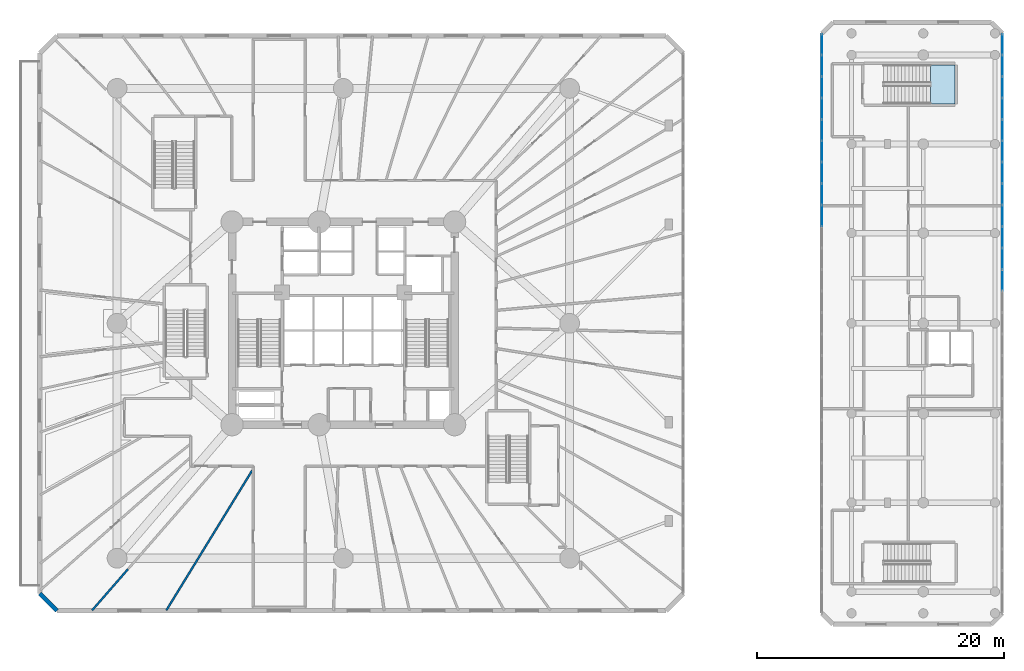
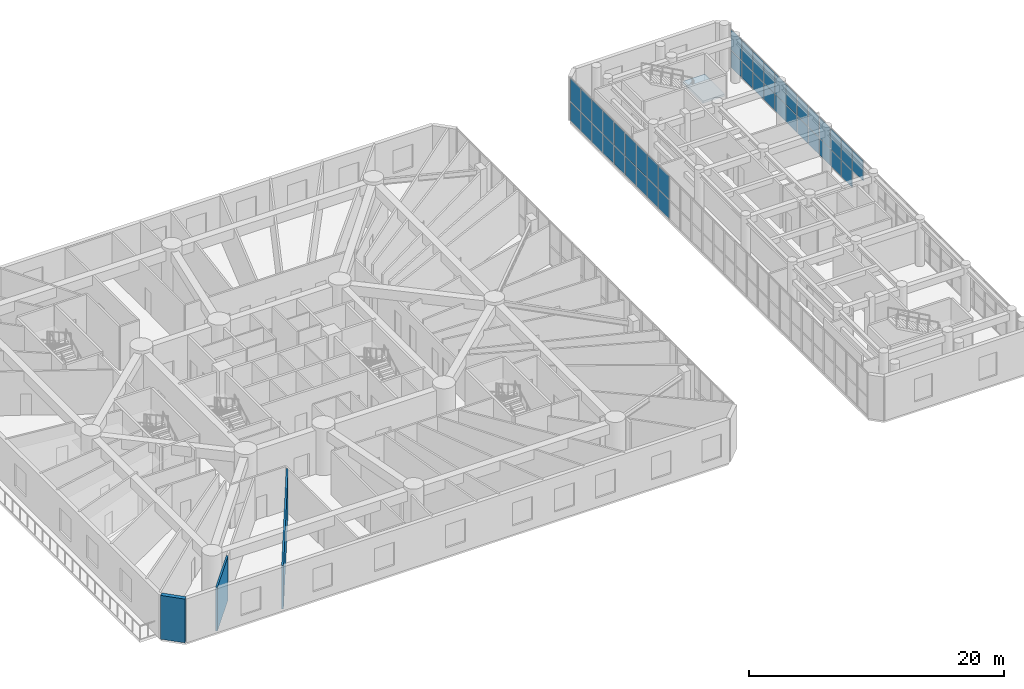
# One storey, part 12 of 26: 41 plates, 3 walls, 1 slab, 3 elements without a shape of their own.
"""IFC4 building model written with IfcOpenShell, lengths in metres."""

from ifc_helpers import new_model, si_unit, direction, frame, frame_2d, origin, origin_with_axes, origin_2d, place, context, subcontext, project, spatial, polyline, rectangle, outline, extrude, source, transform, mapped, material, layer, layer_set, type_object, element, aggregate, save


model = new_model("IFC4")

# Units and contexts
model_context = context("Model", 3, precision=1e-05, world=origin(), true_north=direction((0.0, 1.0)))
body_context = subcontext(model_context, "Body", "Model", "MODEL_VIEW")
ifc_project = project(units=[si_unit("LENGTHUNIT", "METRE"), si_unit("AREAUNIT", "SQUARE_METRE"), si_unit("VOLUMEUNIT", "CUBIC_METRE"), si_unit("PLANEANGLEUNIT", "RADIAN"), si_unit("MASSUNIT", "GRAM", prefix="KILO")], contexts=[model_context])

# Site, building, storey
site_placement = place(None, origin())
site = spatial("IfcSite", under=ifc_project, at=site_placement, CompositionType="ELEMENT")
building_placement = place(site_placement, origin())
building = spatial("IfcBuilding", under=site, at=building_placement, Name="Karkom Vertical University and Central Library", CompositionType="ELEMENT")
storey_placement = place(building_placement, frame((0.0, 0.0, 9.0)))
storey = spatial("IfcBuildingStorey", under=building, at=storey_placement, Name="L02", CompositionType="ELEMENT", Elevation=9.0)

# Stair, slab
ifc_material_1 = material(Name="Concrete C45/55", Category="concrete")
stair_type = type_object("IfcStairType", Name="INT-STR-ST-LIB", PredefinedType="HALF_TURN_STAIR", material=ifc_material_1)
stair_placement = place(storey_placement, origin())
stair = element("IfcStair", 1, at=stair_placement, inside=storey, type_object=stair_type, Name="Level 02 Central Library North Exit Stair LIB-ST2", PredefinedType="HALF_TURN_STAIR")
ifc_layer_1 = layer(ifc_material_1, 0.199951171875)
ifc_layer_set_1 = layer_set([ifc_layer_1], Name="Concrete C45/55")
slab_type = type_object("IfcSlabType", Name="INT-SLB-LANDING", PredefinedType="LANDING", material=ifc_layer_set_1)
slab_placement = place(storey_placement, frame((0.0, 0.0, 2.050048828125)))
slab = element("IfcSlab", 2, at=slab_placement, type_object=slab_type, Name="LIB-ST2 landing 1", PredefinedType="LANDING", context=body_context, shape_type="SweptSolid", body=[
    extrude(outline(polyline([(75.969970703125, 44.25), (77.949951171875, 44.25), (77.949951171875, 47.409912109375), (75.969970703125, 47.409912109375), (75.969970703125, 44.25)])), origin(), (0.0, 0.0, 1.0), 0.199951171875),
])
aggregate(stair, [slab])

# Curtain wall, plates
ifc_material_2 = material(Name="Aluminium curtain-wall framing and low-E IGU", Category="aluminium")
ifc_layer_2 = layer(ifc_material_2, 0.199951171875)
ifc_layer_set_2 = layer_set([ifc_layer_2], Name="Aluminium curtain-wall framing and low-E IGU")
curtain_wall_type = type_object("IfcCurtainWallType", Name="ENV-CW-1", PredefinedType="USERDEFINED", material=ifc_layer_set_2)
curtain_wall_1_placement = place(storey_placement, origin())
curtain_wall_1 = element("IfcCurtainWall", 3, at=curtain_wall_1_placement, inside=storey, type_object=curtain_wall_type, Name="Level 02 CW-1 Curtain Wall Level 02-CW-1-LIB-3", ObjectType="STICK MULLION GLAZING", PredefinedType="USERDEFINED")
ifc_material_3 = material(Name="Solar-control low-E double glazing 28mm", Category="glass")
ifc_layer_3 = layer(ifc_material_3, 0.028076171875)
ifc_layer_set_3 = layer_set([ifc_layer_3], Name="Solar-control low-E double glazing 28mm")
plate_type = type_object("IfcPlateType", Name="ENV-PLT-GLZ-28", PredefinedType="CURTAIN_PANEL", material=ifc_layer_set_3)
shared_shape_1 = source(origin_with_axes(), body_context, "Body", "SweptSolid", [
    extrude(rectangle(XDim=1.632080078125, YDim=0.028076171875, at=origin_2d()), origin(), (0.0, 0.0, 1.0), 1.58251953125),
])
plate_1_placement = place(storey_placement, frame((81.800048828125, 49.06396484375, 0.070068359375), z_axis=(0.0, 0.0, 1.0), x_axis=(0.0, 1.0, 0.0)))
plate_1 = element("IfcPlate", 4, at=plate_1_placement, type_object=plate_type, Name="CW-1 panel 27.1", PredefinedType="CURTAIN_PANEL", context=body_context, shape_type="MappedRepresentation", body=[
    mapped(shared_shape_1, transform((0.0, 0.0, 0.0), scale=1.0)),
])
shared_shape_2 = source(origin_with_axes(), body_context, "Body", "SweptSolid", [
    extrude(rectangle(XDim=1.632080078125, YDim=0.028076171875, at=origin_2d()), origin(), (0.0, 0.0, 1.0), 1.95751953125),
])
plate_2_placement = place(storey_placement, frame((81.800048828125, 49.06396484375, 1.722412109375), z_axis=(0.0, 0.0, 1.0), x_axis=(0.0, 1.0, 0.0)))
plate_2 = element("IfcPlate", 5, at=plate_2_placement, type_object=plate_type, Name="CW-1 panel 27.2", PredefinedType="CURTAIN_PANEL", context=body_context, shape_type="MappedRepresentation", body=[
    mapped(shared_shape_2, transform((0.0, 0.0, 0.0), scale=1.0)),
])
shared_shape_3 = source(origin_with_axes(), body_context, "Body", "SweptSolid", [
    extrude(rectangle(XDim=1.6669921875, YDim=0.028076171875, at=origin_2d()), origin(), (0.0, 0.0, 1.0), 1.58251953125),
])
plate_3_placement = place(storey_placement, frame((81.800048828125, 31.711181640625, 0.070068359375), z_axis=(0.0, 0.0, 1.0), x_axis=(0.0, 1.0, 0.0)))
plate_3 = element("IfcPlate", 6, at=plate_3_placement, type_object=plate_type, Name="CW-1 panel 17.1", PredefinedType="CURTAIN_PANEL", context=body_context, shape_type="MappedRepresentation", body=[
    mapped(shared_shape_3, transform((0.0, 0.0, 0.0), scale=1.0)),
])
plate_4_placement = place(storey_placement, frame((81.800048828125, 33.4482421875, 0.070068359375), z_axis=(0.0, 0.0, 1.0), x_axis=(0.0, 1.0, 0.0)))
plate_4 = element("IfcPlate", 7, at=plate_4_placement, type_object=plate_type, Name="CW-1 panel 18.1", PredefinedType="CURTAIN_PANEL", context=body_context, shape_type="MappedRepresentation", body=[
    mapped(shared_shape_3, transform((0.0, 0.0, 0.0), scale=1.0)),
])
plate_5_placement = place(storey_placement, frame((81.800048828125, 35.185302734375, 0.070068359375), z_axis=(0.0, 0.0, 1.0), x_axis=(0.0, 1.0, 0.0)))
plate_5 = element("IfcPlate", 8, at=plate_5_placement, type_object=plate_type, Name="CW-1 panel 19.1", PredefinedType="CURTAIN_PANEL", context=body_context, shape_type="MappedRepresentation", body=[
    mapped(shared_shape_3, transform((0.0, 0.0, 0.0), scale=1.0)),
])
plate_6_placement = place(storey_placement, frame((81.800048828125, 36.922119140625, 0.070068359375), z_axis=(0.0, 0.0, 1.0), x_axis=(0.0, 1.0, 0.0)))
plate_6 = element("IfcPlate", 9, at=plate_6_placement, type_object=plate_type, Name="CW-1 panel 20.1", PredefinedType="CURTAIN_PANEL", context=body_context, shape_type="MappedRepresentation", body=[
    mapped(shared_shape_3, transform((0.0, 0.0, 0.0), scale=1.0)),
])
plate_7_placement = place(storey_placement, frame((81.800048828125, 38.6591796875, 0.070068359375), z_axis=(0.0, 0.0, 1.0), x_axis=(0.0, 1.0, 0.0)))
plate_7 = element("IfcPlate", 10, at=plate_7_placement, type_object=plate_type, Name="CW-1 panel 21.1", PredefinedType="CURTAIN_PANEL", context=body_context, shape_type="MappedRepresentation", body=[
    mapped(shared_shape_3, transform((0.0, 0.0, 0.0), scale=1.0)),
])
plate_8_placement = place(storey_placement, frame((81.800048828125, 40.396240234375, 0.070068359375), z_axis=(0.0, 0.0, 1.0), x_axis=(0.0, 1.0, 0.0)))
plate_8 = element("IfcPlate", 11, at=plate_8_placement, type_object=plate_type, Name="CW-1 panel 22.1", PredefinedType="CURTAIN_PANEL", context=body_context, shape_type="MappedRepresentation", body=[
    mapped(shared_shape_3, transform((0.0, 0.0, 0.0), scale=1.0)),
])
plate_9_placement = place(storey_placement, frame((81.800048828125, 42.13330078125, 0.070068359375), z_axis=(0.0, 0.0, 1.0), x_axis=(0.0, 1.0, 0.0)))
plate_9 = element("IfcPlate", 12, at=plate_9_placement, type_object=plate_type, Name="CW-1 panel 23.1", PredefinedType="CURTAIN_PANEL", context=body_context, shape_type="MappedRepresentation", body=[
    mapped(shared_shape_3, transform((0.0, 0.0, 0.0), scale=1.0)),
])
plate_10_placement = place(storey_placement, frame((81.800048828125, 43.870361328125, 0.070068359375), z_axis=(0.0, 0.0, 1.0), x_axis=(0.0, 1.0, 0.0)))
plate_10 = element("IfcPlate", 13, at=plate_10_placement, type_object=plate_type, Name="CW-1 panel 24.1", PredefinedType="CURTAIN_PANEL", context=body_context, shape_type="MappedRepresentation", body=[
    mapped(shared_shape_3, transform((0.0, 0.0, 0.0), scale=1.0)),
])
plate_11_placement = place(storey_placement, frame((81.800048828125, 45.607421875, 0.070068359375), z_axis=(0.0, 0.0, 1.0), x_axis=(0.0, 1.0, 0.0)))
plate_11 = element("IfcPlate", 14, at=plate_11_placement, type_object=plate_type, Name="CW-1 panel 25.1", PredefinedType="CURTAIN_PANEL", context=body_context, shape_type="MappedRepresentation", body=[
    mapped(shared_shape_3, transform((0.0, 0.0, 0.0), scale=1.0)),
])
plate_12_placement = place(storey_placement, frame((81.800048828125, 47.344482421875, 0.070068359375), z_axis=(0.0, 0.0, 1.0), x_axis=(0.0, 1.0, 0.0)))
plate_12 = element("IfcPlate", 15, at=plate_12_placement, type_object=plate_type, Name="CW-1 panel 26.1", PredefinedType="CURTAIN_PANEL", context=body_context, shape_type="MappedRepresentation", body=[
    mapped(shared_shape_3, transform((0.0, 0.0, 0.0), scale=1.0)),
])
shared_shape_4 = source(origin_with_axes(), body_context, "Body", "SweptSolid", [
    extrude(rectangle(XDim=1.6669921875, YDim=0.028076171875, at=origin_2d()), origin(), (0.0, 0.0, 1.0), 1.95751953125),
])
plate_13_placement = place(storey_placement, frame((81.800048828125, 29.97412109375, 1.722412109375), z_axis=(0.0, 0.0, 1.0), x_axis=(0.0, 1.0, 0.0)))
plate_13 = element("IfcPlate", 16, at=plate_13_placement, type_object=plate_type, Name="CW-1 panel 16.2", PredefinedType="CURTAIN_PANEL", context=body_context, shape_type="MappedRepresentation", body=[
    mapped(shared_shape_4, transform((0.0, 0.0, 0.0), scale=1.0)),
])
plate_14_placement = place(storey_placement, frame((81.800048828125, 31.711181640625, 1.722412109375), z_axis=(0.0, 0.0, 1.0), x_axis=(0.0, 1.0, 0.0)))
plate_14 = element("IfcPlate", 17, at=plate_14_placement, type_object=plate_type, Name="CW-1 panel 17.2", PredefinedType="CURTAIN_PANEL", context=body_context, shape_type="MappedRepresentation", body=[
    mapped(shared_shape_4, transform((0.0, 0.0, 0.0), scale=1.0)),
])
plate_15_placement = place(storey_placement, frame((81.800048828125, 33.4482421875, 1.722412109375), z_axis=(0.0, 0.0, 1.0), x_axis=(0.0, 1.0, 0.0)))
plate_15 = element("IfcPlate", 18, at=plate_15_placement, type_object=plate_type, Name="CW-1 panel 18.2", PredefinedType="CURTAIN_PANEL", context=body_context, shape_type="MappedRepresentation", body=[
    mapped(shared_shape_4, transform((0.0, 0.0, 0.0), scale=1.0)),
])
plate_16_placement = place(storey_placement, frame((81.800048828125, 35.185302734375, 1.722412109375), z_axis=(0.0, 0.0, 1.0), x_axis=(0.0, 1.0, 0.0)))
plate_16 = element("IfcPlate", 19, at=plate_16_placement, type_object=plate_type, Name="CW-1 panel 19.2", PredefinedType="CURTAIN_PANEL", context=body_context, shape_type="MappedRepresentation", body=[
    mapped(shared_shape_4, transform((0.0, 0.0, 0.0), scale=1.0)),
])
plate_17_placement = place(storey_placement, frame((81.800048828125, 36.922119140625, 1.722412109375), z_axis=(0.0, 0.0, 1.0), x_axis=(0.0, 1.0, 0.0)))
plate_17 = element("IfcPlate", 20, at=plate_17_placement, type_object=plate_type, Name="CW-1 panel 20.2", PredefinedType="CURTAIN_PANEL", context=body_context, shape_type="MappedRepresentation", body=[
    mapped(shared_shape_4, transform((0.0, 0.0, 0.0), scale=1.0)),
])
plate_18_placement = place(storey_placement, frame((81.800048828125, 38.6591796875, 1.722412109375), z_axis=(0.0, 0.0, 1.0), x_axis=(0.0, 1.0, 0.0)))
plate_18 = element("IfcPlate", 21, at=plate_18_placement, type_object=plate_type, Name="CW-1 panel 21.2", PredefinedType="CURTAIN_PANEL", context=body_context, shape_type="MappedRepresentation", body=[
    mapped(shared_shape_4, transform((0.0, 0.0, 0.0), scale=1.0)),
])
plate_19_placement = place(storey_placement, frame((81.800048828125, 40.396240234375, 1.722412109375), z_axis=(0.0, 0.0, 1.0), x_axis=(0.0, 1.0, 0.0)))
plate_19 = element("IfcPlate", 22, at=plate_19_placement, type_object=plate_type, Name="CW-1 panel 22.2", PredefinedType="CURTAIN_PANEL", context=body_context, shape_type="MappedRepresentation", body=[
    mapped(shared_shape_4, transform((0.0, 0.0, 0.0), scale=1.0)),
])
plate_20_placement = place(storey_placement, frame((81.800048828125, 42.13330078125, 1.722412109375), z_axis=(0.0, 0.0, 1.0), x_axis=(0.0, 1.0, 0.0)))
plate_20 = element("IfcPlate", 23, at=plate_20_placement, type_object=plate_type, Name="CW-1 panel 23.2", PredefinedType="CURTAIN_PANEL", context=body_context, shape_type="MappedRepresentation", body=[
    mapped(shared_shape_4, transform((0.0, 0.0, 0.0), scale=1.0)),
])
plate_21_placement = place(storey_placement, frame((81.800048828125, 43.870361328125, 1.722412109375), z_axis=(0.0, 0.0, 1.0), x_axis=(0.0, 1.0, 0.0)))
plate_21 = element("IfcPlate", 24, at=plate_21_placement, type_object=plate_type, Name="CW-1 panel 24.2", PredefinedType="CURTAIN_PANEL", context=body_context, shape_type="MappedRepresentation", body=[
    mapped(shared_shape_4, transform((0.0, 0.0, 0.0), scale=1.0)),
])
plate_22_placement = place(storey_placement, frame((81.800048828125, 45.607421875, 1.722412109375), z_axis=(0.0, 0.0, 1.0), x_axis=(0.0, 1.0, 0.0)))
plate_22 = element("IfcPlate", 25, at=plate_22_placement, type_object=plate_type, Name="CW-1 panel 25.2", PredefinedType="CURTAIN_PANEL", context=body_context, shape_type="MappedRepresentation", body=[
    mapped(shared_shape_4, transform((0.0, 0.0, 0.0), scale=1.0)),
])
plate_23_placement = place(storey_placement, frame((81.800048828125, 47.344482421875, 1.722412109375), z_axis=(0.0, 0.0, 1.0), x_axis=(0.0, 1.0, 0.0)))
plate_23 = element("IfcPlate", 26, at=plate_23_placement, type_object=plate_type, Name="CW-1 panel 26.2", PredefinedType="CURTAIN_PANEL", context=body_context, shape_type="MappedRepresentation", body=[
    mapped(shared_shape_4, transform((0.0, 0.0, 0.0), scale=1.0)),
])
aggregate(curtain_wall_1, [plate_13, plate_3, plate_14, plate_4, plate_15, plate_5, plate_16, plate_6, plate_17, plate_7, plate_18, plate_8, plate_19, plate_9, plate_20, plate_10, plate_21, plate_11, plate_22, plate_12, plate_23, plate_1, plate_2])

curtain_wall_2_placement = place(storey_placement, origin())
curtain_wall_2 = element("IfcCurtainWall", 27, at=curtain_wall_2_placement, inside=storey, type_object=curtain_wall_type, Name="Level 02 CW-1 Curtain Wall Level 02-CW-1-LIB-7", ObjectType="STICK MULLION GLAZING", PredefinedType="USERDEFINED")
shared_shape_5 = source(origin_with_axes(), body_context, "Body", "SweptSolid", [
    extrude(rectangle(XDim=1.632080078125, YDim=0.028076171875, at=origin_2d()), origin(), (0.0, 0.0, 1.0), 1.784912109375),
])
plate_24_placement = place(storey_placement, frame((67.199951171875, 49.06396484375, 0.06982421875), z_axis=(0.0, 0.0, 1.0), x_axis=(0.0, -1.0, 0.0)))
plate_24 = element("IfcPlate", 28, at=plate_24_placement, type_object=plate_type, Name="CW-1 panel 1.1", PredefinedType="CURTAIN_PANEL", context=body_context, shape_type="MappedRepresentation", body=[
    mapped(shared_shape_5, transform((0.0, 0.0, 0.0), scale=1.0)),
])
shared_shape_6 = source(origin_with_axes(), body_context, "Body", "SweptSolid", [
    extrude(rectangle(XDim=1.632080078125, YDim=0.028076171875, at=origin_2d()), origin(), (0.0, 0.0, 1.0), 2.205078125),
])
plate_25_placement = place(storey_placement, frame((67.199951171875, 49.06396484375, 1.925048828125), z_axis=(0.0, 0.0, 1.0), x_axis=(0.0, -1.0, 0.0)))
plate_25 = element("IfcPlate", 29, at=plate_25_placement, type_object=plate_type, Name="CW-1 panel 1.2", PredefinedType="CURTAIN_PANEL", context=body_context, shape_type="MappedRepresentation", body=[
    mapped(shared_shape_6, transform((0.0, 0.0, 0.0), scale=1.0)),
])
shared_shape_7 = source(origin_with_axes(), body_context, "Body", "SweptSolid", [
    extrude(rectangle(XDim=1.6669921875, YDim=0.028076171875, at=origin_2d()), origin(), (0.0, 0.0, 1.0), 1.784912109375),
])
plate_26_placement = place(storey_placement, frame((67.199951171875, 47.344482421875, 0.06982421875), z_axis=(0.0, 0.0, 1.0), x_axis=(0.0, -1.0, 0.0)))
plate_26 = element("IfcPlate", 30, at=plate_26_placement, type_object=plate_type, Name="CW-1 panel 2.1", PredefinedType="CURTAIN_PANEL", context=body_context, shape_type="MappedRepresentation", body=[
    mapped(shared_shape_7, transform((0.0, 0.0, 0.0), scale=1.0)),
])
plate_27_placement = place(storey_placement, frame((67.199951171875, 45.607421875, 0.06982421875), z_axis=(0.0, 0.0, 1.0), x_axis=(0.0, -1.0, 0.0)))
plate_27 = element("IfcPlate", 31, at=plate_27_placement, type_object=plate_type, Name="CW-1 panel 3.1", PredefinedType="CURTAIN_PANEL", context=body_context, shape_type="MappedRepresentation", body=[
    mapped(shared_shape_7, transform((0.0, 0.0, 0.0), scale=1.0)),
])
plate_28_placement = place(storey_placement, frame((67.199951171875, 43.870361328125, 0.06982421875), z_axis=(0.0, 0.0, 1.0), x_axis=(0.0, -1.0, 0.0)))
plate_28 = element("IfcPlate", 32, at=plate_28_placement, type_object=plate_type, Name="CW-1 panel 4.1", PredefinedType="CURTAIN_PANEL", context=body_context, shape_type="MappedRepresentation", body=[
    mapped(shared_shape_7, transform((0.0, 0.0, 0.0), scale=1.0)),
])
plate_29_placement = place(storey_placement, frame((67.199951171875, 42.13330078125, 0.06982421875), z_axis=(0.0, 0.0, 1.0), x_axis=(0.0, -1.0, 0.0)))
plate_29 = element("IfcPlate", 33, at=plate_29_placement, type_object=plate_type, Name="CW-1 panel 5.1", PredefinedType="CURTAIN_PANEL", context=body_context, shape_type="MappedRepresentation", body=[
    mapped(shared_shape_7, transform((0.0, 0.0, 0.0), scale=1.0)),
])
plate_30_placement = place(storey_placement, frame((67.199951171875, 40.396240234375, 0.06982421875), z_axis=(0.0, 0.0, 1.0), x_axis=(0.0, -1.0, 0.0)))
plate_30 = element("IfcPlate", 34, at=plate_30_placement, type_object=plate_type, Name="CW-1 panel 6.1", PredefinedType="CURTAIN_PANEL", context=body_context, shape_type="MappedRepresentation", body=[
    mapped(shared_shape_7, transform((0.0, 0.0, 0.0), scale=1.0)),
])
plate_31_placement = place(storey_placement, frame((67.199951171875, 38.6591796875, 0.06982421875), z_axis=(0.0, 0.0, 1.0), x_axis=(0.0, -1.0, 0.0)))
plate_31 = element("IfcPlate", 35, at=plate_31_placement, type_object=plate_type, Name="CW-1 panel 7.1", PredefinedType="CURTAIN_PANEL", context=body_context, shape_type="MappedRepresentation", body=[
    mapped(shared_shape_7, transform((0.0, 0.0, 0.0), scale=1.0)),
])
plate_32_placement = place(storey_placement, frame((67.199951171875, 36.922119140625, 0.06982421875), z_axis=(0.0, 0.0, 1.0), x_axis=(0.0, -1.0, 0.0)))
plate_32 = element("IfcPlate", 36, at=plate_32_placement, type_object=plate_type, Name="CW-1 panel 8.1", PredefinedType="CURTAIN_PANEL", context=body_context, shape_type="MappedRepresentation", body=[
    mapped(shared_shape_7, transform((0.0, 0.0, 0.0), scale=1.0)),
])
plate_33_placement = place(storey_placement, frame((67.199951171875, 35.185302734375, 0.06982421875), z_axis=(0.0, 0.0, 1.0), x_axis=(0.0, -1.0, 0.0)))
plate_33 = element("IfcPlate", 37, at=plate_33_placement, type_object=plate_type, Name="CW-1 panel 9.1", PredefinedType="CURTAIN_PANEL", context=body_context, shape_type="MappedRepresentation", body=[
    mapped(shared_shape_7, transform((0.0, 0.0, 0.0), scale=1.0)),
])
shared_shape_8 = source(origin_with_axes(), body_context, "Body", "SweptSolid", [
    extrude(rectangle(XDim=1.6669921875, YDim=0.028076171875, at=origin_2d()), origin(), (0.0, 0.0, 1.0), 2.205078125),
])
plate_34_placement = place(storey_placement, frame((67.199951171875, 47.344482421875, 1.925048828125), z_axis=(0.0, 0.0, 1.0), x_axis=(0.0, -1.0, 0.0)))
plate_34 = element("IfcPlate", 38, at=plate_34_placement, type_object=plate_type, Name="CW-1 panel 2.2", PredefinedType="CURTAIN_PANEL", context=body_context, shape_type="MappedRepresentation", body=[
    mapped(shared_shape_8, transform((0.0, 0.0, 0.0), scale=1.0)),
])
plate_35_placement = place(storey_placement, frame((67.199951171875, 45.607421875, 1.925048828125), z_axis=(0.0, 0.0, 1.0), x_axis=(0.0, -1.0, 0.0)))
plate_35 = element("IfcPlate", 39, at=plate_35_placement, type_object=plate_type, Name="CW-1 panel 3.2", PredefinedType="CURTAIN_PANEL", context=body_context, shape_type="MappedRepresentation", body=[
    mapped(shared_shape_8, transform((0.0, 0.0, 0.0), scale=1.0)),
])
plate_36_placement = place(storey_placement, frame((67.199951171875, 43.870361328125, 1.925048828125), z_axis=(0.0, 0.0, 1.0), x_axis=(0.0, -1.0, 0.0)))
plate_36 = element("IfcPlate", 40, at=plate_36_placement, type_object=plate_type, Name="CW-1 panel 4.2", PredefinedType="CURTAIN_PANEL", context=body_context, shape_type="MappedRepresentation", body=[
    mapped(shared_shape_8, transform((0.0, 0.0, 0.0), scale=1.0)),
])
plate_37_placement = place(storey_placement, frame((67.199951171875, 42.13330078125, 1.925048828125), z_axis=(0.0, 0.0, 1.0), x_axis=(0.0, -1.0, 0.0)))
plate_37 = element("IfcPlate", 41, at=plate_37_placement, type_object=plate_type, Name="CW-1 panel 5.2", PredefinedType="CURTAIN_PANEL", context=body_context, shape_type="MappedRepresentation", body=[
    mapped(shared_shape_8, transform((0.0, 0.0, 0.0), scale=1.0)),
])
plate_38_placement = place(storey_placement, frame((67.199951171875, 40.396240234375, 1.925048828125), z_axis=(0.0, 0.0, 1.0), x_axis=(0.0, -1.0, 0.0)))
plate_38 = element("IfcPlate", 42, at=plate_38_placement, type_object=plate_type, Name="CW-1 panel 6.2", PredefinedType="CURTAIN_PANEL", context=body_context, shape_type="MappedRepresentation", body=[
    mapped(shared_shape_8, transform((0.0, 0.0, 0.0), scale=1.0)),
])
plate_39_placement = place(storey_placement, frame((67.199951171875, 38.6591796875, 1.925048828125), z_axis=(0.0, 0.0, 1.0), x_axis=(0.0, -1.0, 0.0)))
plate_39 = element("IfcPlate", 43, at=plate_39_placement, type_object=plate_type, Name="CW-1 panel 7.2", PredefinedType="CURTAIN_PANEL", context=body_context, shape_type="MappedRepresentation", body=[
    mapped(shared_shape_8, transform((0.0, 0.0, 0.0), scale=1.0)),
])
plate_40_placement = place(storey_placement, frame((67.199951171875, 36.922119140625, 1.925048828125), z_axis=(0.0, 0.0, 1.0), x_axis=(0.0, -1.0, 0.0)))
plate_40 = element("IfcPlate", 44, at=plate_40_placement, type_object=plate_type, Name="CW-1 panel 8.2", PredefinedType="CURTAIN_PANEL", context=body_context, shape_type="MappedRepresentation", body=[
    mapped(shared_shape_8, transform((0.0, 0.0, 0.0), scale=1.0)),
])
plate_41_placement = place(storey_placement, frame((67.199951171875, 35.185302734375, 1.925048828125), z_axis=(0.0, 0.0, 1.0), x_axis=(0.0, -1.0, 0.0)))
plate_41 = element("IfcPlate", 45, at=plate_41_placement, type_object=plate_type, Name="CW-1 panel 9.2", PredefinedType="CURTAIN_PANEL", context=body_context, shape_type="MappedRepresentation", body=[
    mapped(shared_shape_8, transform((0.0, 0.0, 0.0), scale=1.0)),
])
aggregate(curtain_wall_2, [plate_24, plate_25, plate_26, plate_34, plate_27, plate_35, plate_28, plate_36, plate_29, plate_37, plate_30, plate_38, plate_31, plate_39, plate_32, plate_40, plate_33, plate_41])

# Walls
ifc_material_4 = material(Name="Brick masonry 360mm insulated cavity", Category="masonry")
ifc_layer_4 = layer(ifc_material_4, 0.360107421875)
ifc_layer_set_4 = layer_set([ifc_layer_4], Name="Brick masonry 360mm insulated cavity")
wall_type_1 = type_object("IfcWallType", Name="ENV-WL-BRK-360", PredefinedType="SOLIDWALL", material=ifc_layer_set_4)
wall_1_placement = place(storey_placement, frame((3.949951171875, 4.64990234375, 0.0), z_axis=(0.0, 0.0, 1.0), x_axis=(0.707168432242, -0.707045124756, 0.0)))
element("IfcWall", 46, at=wall_1_placement, inside=storey, type_object=wall_type_1, Name="Level 02 POD Terracotta Brick Facade Wall 08", PredefinedType="SOLIDWALL", context=body_context, shape_type="SweptSolid", body=[
    extrude(rectangle(XDim=1.97998046875, YDim=0.360107421875, at=frame_2d((0.989990234375, 0.0))), origin(), (0.0, 0.0, 1.0), 4.199951171875),
])
ifc_material_5 = material(Name="Insulated metal-stud drywall 160mm", Category="gypsum")
ifc_layer_5 = layer(ifc_material_5, 0.159912109375)
ifc_layer_set_5 = layer_set([ifc_layer_5], Name="Insulated metal-stud drywall 160mm")
wall_type_2 = type_object("IfcWallType", Name="INT-WL-COR-160", PredefinedType="PARTITIONING", material=ifc_layer_set_5)
wall_2_placement = place(storey_placement, frame((21.117919921875, 14.586669921875, 0.0), z_axis=(0.0, 0.0, 1.0), x_axis=(-0.523082178692, -0.852282250393, 0.0)))
element("IfcWall", 47, at=wall_2_placement, inside=storey, type_object=wall_type_2, Name="Level 02 Interior Partition Wall Level 02-PODW-08-09-1", PredefinedType="PARTITIONING", context=body_context, shape_type="SweptSolid", body=[
    extrude(rectangle(XDim=13.260986328125, YDim=0.159912109375, at=frame_2d((6.63037109375, 0.0))), origin(), (0.0, 0.0, 1.0), 4.199951171875),
])
wall_3_placement = place(storey_placement, frame((11.076171875, 6.610107421875, 0.0), z_axis=(0.0, 0.0, 1.0), x_axis=(-0.657196582962, -0.753719212534, 0.0)))
element("IfcWall", 48, at=wall_3_placement, inside=storey, type_object=wall_type_2, Name="Level 02 Interior Partition Wall Level 02-PODW-07-08-2", PredefinedType="PARTITIONING", context=body_context, shape_type="SweptSolid", body=[
    extrude(rectangle(XDim=4.403564453125, YDim=0.159912109375, at=frame_2d((2.20166015625, 0.0))), origin(), (0.0, 0.0, 1.0), 4.199951171875),
])

save(model, "model.ifc")
